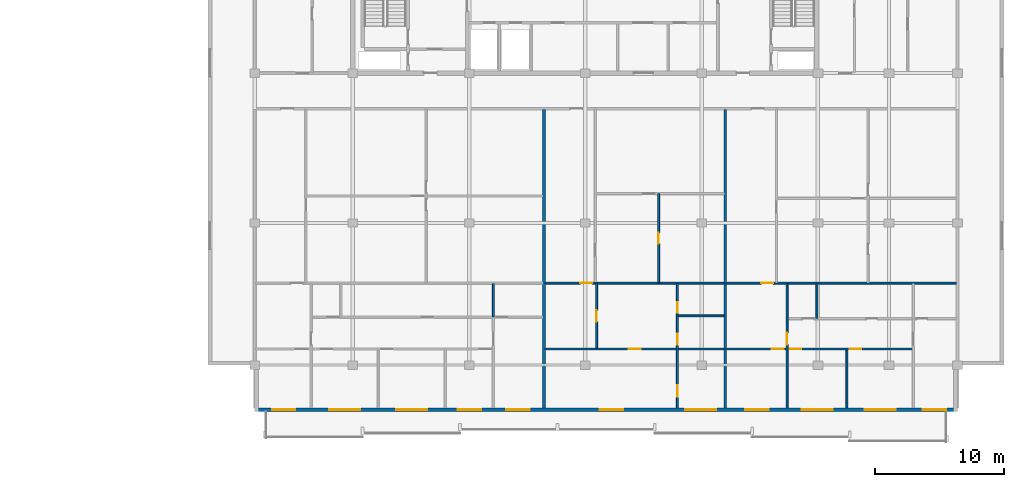
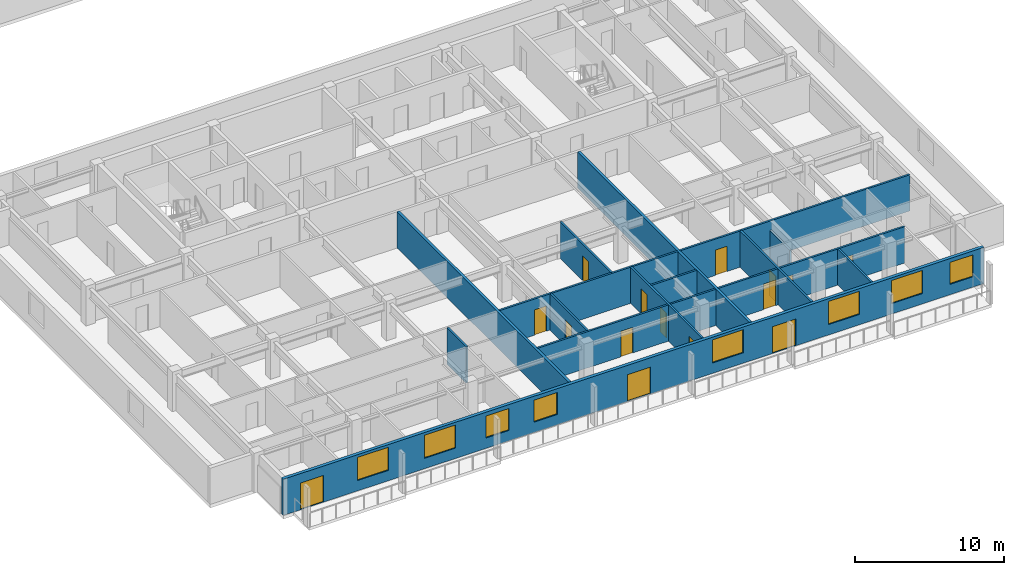
# One storey, part 5 of 22: 15 doors, 15 walls, 8 windows, 23 openings.
"""IFC4 building model written with IfcOpenShell, lengths in metres."""

from ifc_helpers import new_model, si_unit, direction, frame, frame_2d, origin, place, context, subcontext, project, spatial, rectangle, extrude, material, layer, layer_set, type_object, element, fill, save


model = new_model("IFC4")

# Units and contexts
model_context = context("Model", 3, precision=1e-05, world=origin(), true_north=direction((0.0, 1.0)))
body_context = subcontext(model_context, "Body", "Model", "MODEL_VIEW")
ifc_project = project(units=[si_unit("LENGTHUNIT", "METRE"), si_unit("AREAUNIT", "SQUARE_METRE"), si_unit("VOLUMEUNIT", "CUBIC_METRE"), si_unit("PLANEANGLEUNIT", "RADIAN"), si_unit("MASSUNIT", "GRAM", prefix="KILO")], contexts=[model_context])

# Site, building, storey
site_placement = place(None, origin())
site = spatial("IfcSite", under=ifc_project, at=site_placement, CompositionType="ELEMENT")
building_placement = place(site_placement, origin())
building = spatial("IfcBuilding", under=site, at=building_placement, Name="Korimba Cascade Residences", CompositionType="ELEMENT")
storey_placement = place(building_placement, frame((0.0, 0.0, 194.60009765625)))
storey = spatial("IfcBuildingStorey", under=building, at=storey_placement, Name="L56", CompositionType="ELEMENT", Elevation=194.60009765625)

# Wall, openings, doors, windows
ifc_material_1 = material(Name="Precast concrete C40/50", Category="concrete")
ifc_layer_1 = layer(ifc_material_1, 0.25)
ifc_layer_set_1 = layer_set([ifc_layer_1], Name="Precast concrete C40/50")
wall_type_1 = type_object("IfcWallType", Name="EW-LOG-250", PredefinedType="STANDARD", material=ifc_layer_set_1)
wall_1_placement = place(storey_placement, frame((74.5, -7.64990234375, 0.0), z_axis=(0.0, 0.0, 1.0), x_axis=(1.0, 0.0, 0.0)))
wall_1 = element("IfcWall", 1, at=wall_1_placement, inside=storey, type_object=wall_type_1, Name="L56 T2 Perimeter Stone Wall E00", PredefinedType="STANDARD", context=body_context, shape_type="SweptSolid", body=[
    extrude(rectangle(XDim=54.39990234375, YDim=0.25, at=frame_2d((27.199951171875, 0.0))), origin(), (0.0, 0.0, 1.0), 2.969970703125),
])
opening_1_placement = place(wall_1_placement, frame((5.77001953125, 0.0, 0.85009765625)))
opening_1 = element("IfcOpeningElement", 2, at=opening_1_placement, cuts=wall_1, Name="Opening W-01", PredefinedType="OPENING", context=body_context, shape_type="SweptSolid", body=[
    extrude(rectangle(XDim=2.39990234375, YDim=1.89990234375, at=frame_2d((1.199951171875, 0.949951171875))), frame((0.0, 0.135009765625, 0.0), z_axis=(0.0, -1.0, 0.0), x_axis=(1.0, 0.0, 0.0)), (0.0, 0.0, 1.0), 0.27001953125),
])
opening_2_placement = place(wall_1_placement, frame((10.969970703125, 0.0, 0.85009765625)))
opening_2 = element("IfcOpeningElement", 3, at=opening_2_placement, cuts=wall_1, Name="Opening W-01", PredefinedType="OPENING", context=body_context, shape_type="SweptSolid", body=[
    extrude(rectangle(XDim=2.39990234375, YDim=1.89990234375, at=frame_2d((1.199951171875, 0.949951171875))), frame((0.0, 0.135009765625, 0.0), z_axis=(0.0, -1.0, 0.0), x_axis=(1.0, 0.0, 0.0)), (0.0, 0.0, 1.0), 0.27001953125),
])
opening_3_placement = place(wall_1_placement, frame((15.72509765625, 0.0, 0.85009765625)))
opening_3 = element("IfcOpeningElement", 4, at=opening_3_placement, cuts=wall_1, Name="Opening W-02", PredefinedType="OPENING", context=body_context, shape_type="SweptSolid", body=[
    extrude(rectangle(XDim=1.800048828125, YDim=1.800048828125, at=frame_2d((0.89990234375, 0.89990234375))), frame((0.0, 0.135009765625, 0.0), z_axis=(0.0, -1.0, 0.0), x_axis=(1.0, 0.0, 0.0)), (0.0, 0.0, 1.0), 0.27001953125),
])
opening_4_placement = place(wall_1_placement, frame((1.344970703125, 0.0, 0.0)))
opening_4 = element("IfcOpeningElement", 5, at=opening_4_placement, cuts=wall_1, Name="Opening D-LG1", PredefinedType="OPENING", context=body_context, shape_type="SweptSolid", body=[
    extrude(rectangle(XDim=1.800048828125, YDim=2.199951171875, at=frame_2d((0.89990234375, 1.10009765625))), frame((0.0, 0.135009765625, 0.0), z_axis=(0.0, -1.0, 0.0), x_axis=(1.0, 0.0, 0.0)), (0.0, 0.0, 1.0), 0.27001953125),
])
opening_5_placement = place(wall_1_placement, frame((19.4794921875, 0.0, 0.85009765625)))
opening_5 = element("IfcOpeningElement", 6, at=opening_5_placement, cuts=wall_1, Name="Opening W-02", PredefinedType="OPENING", context=body_context, shape_type="SweptSolid", body=[
    extrude(rectangle(XDim=1.800048828125, YDim=1.800048828125, at=frame_2d((0.89990234375, 0.89990234375))), frame((0.0, 0.135009765625, 0.0), z_axis=(0.0, -1.0, 0.0), x_axis=(1.0, 0.0, 0.0)), (0.0, 0.0, 1.0), 0.27001953125),
])
opening_6_placement = place(wall_1_placement, frame((26.719482421875, 0.0, 0.0)))
opening_6 = element("IfcOpeningElement", 7, at=opening_6_placement, cuts=wall_1, Name="Opening D-LG1", PredefinedType="OPENING", context=body_context, shape_type="SweptSolid", body=[
    extrude(rectangle(XDim=1.800048828125, YDim=2.199951171875, at=frame_2d((0.89990234375, 1.10009765625))), frame((0.0, 0.135009765625, 0.0), z_axis=(0.0, -1.0, 0.0), x_axis=(1.0, 0.0, 0.0)), (0.0, 0.0, 1.0), 0.27001953125),
])
opening_7_placement = place(wall_1_placement, frame((33.310791015625, 0.0, 0.85009765625)))
opening_7 = element("IfcOpeningElement", 8, at=opening_7_placement, cuts=wall_1, Name="Opening W-01", PredefinedType="OPENING", context=body_context, shape_type="SweptSolid", body=[
    extrude(rectangle(XDim=2.39990234375, YDim=1.89990234375, at=frame_2d((1.199951171875, 0.949951171875))), frame((0.0, 0.135009765625, 0.0), z_axis=(0.0, -1.0, 0.0), x_axis=(1.0, 0.0, 0.0)), (0.0, 0.0, 1.0), 0.27001953125),
])
opening_8_placement = place(wall_1_placement, frame((42.32861328125, 0.0, 0.85009765625)))
opening_8 = element("IfcOpeningElement", 9, at=opening_8_placement, cuts=wall_1, Name="Opening W-01", PredefinedType="OPENING", context=body_context, shape_type="SweptSolid", body=[
    extrude(rectangle(XDim=2.39990234375, YDim=1.89990234375, at=frame_2d((1.199951171875, 0.949951171875))), frame((0.0, 0.135009765625, 0.0), z_axis=(0.0, -1.0, 0.0), x_axis=(1.0, 0.0, 0.0)), (0.0, 0.0, 1.0), 0.27001953125),
])
opening_9_placement = place(wall_1_placement, frame((47.212890625, 0.0, 0.85009765625)))
opening_9 = element("IfcOpeningElement", 10, at=opening_9_placement, cuts=wall_1, Name="Opening W-01", PredefinedType="OPENING", context=body_context, shape_type="SweptSolid", body=[
    extrude(rectangle(XDim=2.39990234375, YDim=1.89990234375, at=frame_2d((1.199951171875, 0.949951171875))), frame((0.0, 0.135009765625, 0.0), z_axis=(0.0, -1.0, 0.0), x_axis=(1.0, 0.0, 0.0)), (0.0, 0.0, 1.0), 0.27001953125),
])
opening_10_placement = place(wall_1_placement, frame((37.976318359375, 0.0, 0.0)))
opening_10 = element("IfcOpeningElement", 11, at=opening_10_placement, cuts=wall_1, Name="Opening D-LG1", PredefinedType="OPENING", context=body_context, shape_type="SweptSolid", body=[
    extrude(rectangle(XDim=1.800048828125, YDim=2.199951171875, at=frame_2d((0.89990234375, 1.10009765625))), frame((0.0, 0.135009765625, 0.0), z_axis=(0.0, -1.0, 0.0), x_axis=(1.0, 0.0, 0.0)), (0.0, 0.0, 1.0), 0.27001953125),
])
opening_11_placement = place(wall_1_placement, frame((51.72998046875, 0.0, 0.85009765625)))
opening_11 = element("IfcOpeningElement", 12, at=opening_11_placement, cuts=wall_1, Name="Opening W-02", PredefinedType="OPENING", context=body_context, shape_type="SweptSolid", body=[
    extrude(rectangle(XDim=1.800048828125, YDim=1.800048828125, at=frame_2d((0.89990234375, 0.89990234375))), frame((0.0, 0.135009765625, 0.0), z_axis=(0.0, -1.0, 0.0), x_axis=(1.0, 0.0, 0.0)), (0.0, 0.0, 1.0), 0.27001953125),
])
ifc_material_2 = material(Name="Glazed Aluminium Loggia Sliding Door", Category="aluminium")
door_type_1 = type_object("IfcDoorType", Name="DR-EXT-LOG", OperationType="NOTDEFINED", PredefinedType="DOOR", material=ifc_material_2)
door_1_placement = place(opening_4_placement, origin())
door_1 = element("IfcDoor", 13, at=door_1_placement, inside=storey, type_object=door_type_1, Name="L56 T2 Loggia Sliding Door 6", OperationType="SLIDING_TO_RIGHT", OverallHeight=2.199951171875, OverallWidth=1.800048828125, PredefinedType="DOOR", context=body_context, shape_type="SweptSolid", body=[
    extrude(rectangle(XDim=1.800048828125, YDim=2.199951171875, at=frame_2d((0.89990234375, 1.10009765625))), frame((0.0, 0.02490234375, 0.0), z_axis=(0.0, -1.0, 0.0), x_axis=(1.0, 0.0, 0.0)), (0.0, 0.0, 1.0), 0.050048828125),
])
fill(opening_4, door_1)
door_2_placement = place(opening_6_placement, origin())
door_2 = element("IfcDoor", 14, at=door_2_placement, inside=storey, type_object=door_type_1, Name="L56 T2 Loggia Sliding Door 8", OperationType="SLIDING_TO_RIGHT", OverallHeight=2.199951171875, OverallWidth=1.800048828125, PredefinedType="DOOR", context=body_context, shape_type="SweptSolid", body=[
    extrude(rectangle(XDim=1.800048828125, YDim=2.199951171875, at=frame_2d((0.89990234375, 1.10009765625))), frame((0.0, 0.02490234375, 0.0), z_axis=(0.0, -1.0, 0.0), x_axis=(1.0, 0.0, 0.0)), (0.0, 0.0, 1.0), 0.050048828125),
])
fill(opening_6, door_2)
door_3_placement = place(opening_10_placement, origin())
door_3 = element("IfcDoor", 15, at=door_3_placement, inside=storey, type_object=door_type_1, Name="L56 T2 Loggia Sliding Door 12", OperationType="SLIDING_TO_RIGHT", OverallHeight=2.199951171875, OverallWidth=1.800048828125, PredefinedType="DOOR", context=body_context, shape_type="SweptSolid", body=[
    extrude(rectangle(XDim=1.800048828125, YDim=2.199951171875, at=frame_2d((0.89990234375, 1.10009765625))), frame((0.0, 0.02490234375, 0.0), z_axis=(0.0, -1.0, 0.0), x_axis=(1.0, 0.0, 0.0)), (0.0, 0.0, 1.0), 0.050048828125),
])
fill(opening_10, door_3)
ifc_material_3 = material(Name="Double-Glazed Aluminium Window", Category="aluminium")
window_type_1 = type_object("IfcWindowType", Name="WIN-BED-1800", PartitioningType="SINGLE_PANEL", PredefinedType="WINDOW", material=ifc_material_3)
window_1_placement = place(opening_3_placement, origin())
window_1 = element("IfcWindow", 16, at=window_1_placement, inside=storey, type_object=window_type_1, Name="L56 T2 South Facade Window 5", OverallHeight=1.800048828125, OverallWidth=1.800048828125, PartitioningType="SINGLE_PANEL", PredefinedType="WINDOW", context=body_context, shape_type="SweptSolid", body=[
    extrude(rectangle(XDim=1.800048828125, YDim=1.800048828125, at=frame_2d((0.89990234375, 0.89990234375))), frame((0.0, 0.030029296875, 0.0), z_axis=(0.0, -1.0, 0.0), x_axis=(1.0, 0.0, 0.0)), (0.0, 0.0, 1.0), 0.06005859375),
])
fill(opening_3, window_1)
window_2_placement = place(opening_5_placement, origin())
window_2 = element("IfcWindow", 17, at=window_2_placement, inside=storey, type_object=window_type_1, Name="L56 T2 South Facade Window 7", OverallHeight=1.800048828125, OverallWidth=1.800048828125, PartitioningType="SINGLE_PANEL", PredefinedType="WINDOW", context=body_context, shape_type="SweptSolid", body=[
    extrude(rectangle(XDim=1.800048828125, YDim=1.800048828125, at=frame_2d((0.89990234375, 0.89990234375))), frame((0.0, 0.030029296875, 0.0), z_axis=(0.0, -1.0, 0.0), x_axis=(1.0, 0.0, 0.0)), (0.0, 0.0, 1.0), 0.06005859375),
])
fill(opening_5, window_2)
window_3_placement = place(opening_11_placement, origin())
window_3 = element("IfcWindow", 18, at=window_3_placement, inside=storey, type_object=window_type_1, Name="L56 T2 South Facade Window 13", OverallHeight=1.800048828125, OverallWidth=1.800048828125, PartitioningType="SINGLE_PANEL", PredefinedType="WINDOW", context=body_context, shape_type="SweptSolid", body=[
    extrude(rectangle(XDim=1.800048828125, YDim=1.800048828125, at=frame_2d((0.89990234375, 0.89990234375))), frame((0.0, 0.030029296875, 0.0), z_axis=(0.0, -1.0, 0.0), x_axis=(1.0, 0.0, 0.0)), (0.0, 0.0, 1.0), 0.06005859375),
])
fill(opening_11, window_3)
window_type_2 = type_object("IfcWindowType", Name="WIN-RES-2400", PartitioningType="DOUBLE_PANEL_VERTICAL", PredefinedType="WINDOW", material=ifc_material_3)
window_4_placement = place(opening_1_placement, origin())
window_4 = element("IfcWindow", 19, at=window_4_placement, inside=storey, type_object=window_type_2, Name="L56 T2 South Facade Window 3", OverallHeight=1.89990234375, OverallWidth=2.39990234375, PartitioningType="DOUBLE_PANEL_VERTICAL", PredefinedType="WINDOW", context=body_context, shape_type="SweptSolid", body=[
    extrude(rectangle(XDim=2.39990234375, YDim=1.89990234375, at=frame_2d((1.199951171875, 0.949951171875))), frame((0.0, 0.030029296875, 0.0), z_axis=(0.0, -1.0, 0.0), x_axis=(1.0, 0.0, 0.0)), (0.0, 0.0, 1.0), 0.06005859375),
])
fill(opening_1, window_4)
window_5_placement = place(opening_2_placement, origin())
window_5 = element("IfcWindow", 20, at=window_5_placement, inside=storey, type_object=window_type_2, Name="L56 T2 South Facade Window 4", OverallHeight=1.89990234375, OverallWidth=2.39990234375, PartitioningType="DOUBLE_PANEL_VERTICAL", PredefinedType="WINDOW", context=body_context, shape_type="SweptSolid", body=[
    extrude(rectangle(XDim=2.39990234375, YDim=1.89990234375, at=frame_2d((1.199951171875, 0.949951171875))), frame((0.0, 0.030029296875, 0.0), z_axis=(0.0, -1.0, 0.0), x_axis=(1.0, 0.0, 0.0)), (0.0, 0.0, 1.0), 0.06005859375),
])
fill(opening_2, window_5)
window_6_placement = place(opening_7_placement, origin())
window_6 = element("IfcWindow", 21, at=window_6_placement, inside=storey, type_object=window_type_2, Name="L56 T2 South Facade Window 9", OverallHeight=1.89990234375, OverallWidth=2.39990234375, PartitioningType="DOUBLE_PANEL_VERTICAL", PredefinedType="WINDOW", context=body_context, shape_type="SweptSolid", body=[
    extrude(rectangle(XDim=2.39990234375, YDim=1.89990234375, at=frame_2d((1.199951171875, 0.949951171875))), frame((0.0, 0.030029296875, 0.0), z_axis=(0.0, -1.0, 0.0), x_axis=(1.0, 0.0, 0.0)), (0.0, 0.0, 1.0), 0.06005859375),
])
fill(opening_7, window_6)
window_7_placement = place(opening_8_placement, origin())
window_7 = element("IfcWindow", 22, at=window_7_placement, inside=storey, type_object=window_type_2, Name="L56 T2 South Facade Window 10", OverallHeight=1.89990234375, OverallWidth=2.39990234375, PartitioningType="DOUBLE_PANEL_VERTICAL", PredefinedType="WINDOW", context=body_context, shape_type="SweptSolid", body=[
    extrude(rectangle(XDim=2.39990234375, YDim=1.89990234375, at=frame_2d((1.199951171875, 0.949951171875))), frame((0.0, 0.030029296875, 0.0), z_axis=(0.0, -1.0, 0.0), x_axis=(1.0, 0.0, 0.0)), (0.0, 0.0, 1.0), 0.06005859375),
])
fill(opening_8, window_7)
window_8_placement = place(opening_9_placement, origin())
window_8 = element("IfcWindow", 23, at=window_8_placement, inside=storey, type_object=window_type_2, Name="L56 T2 South Facade Window 11", OverallHeight=1.89990234375, OverallWidth=2.39990234375, PartitioningType="DOUBLE_PANEL_VERTICAL", PredefinedType="WINDOW", context=body_context, shape_type="SweptSolid", body=[
    extrude(rectangle(XDim=2.39990234375, YDim=1.89990234375, at=frame_2d((1.199951171875, 0.949951171875))), frame((0.0, 0.030029296875, 0.0), z_axis=(0.0, -1.0, 0.0), x_axis=(1.0, 0.0, 0.0)), (0.0, 0.0, 1.0), 0.06005859375),
])
fill(opening_9, window_8)

# Walls
ifc_layer_2 = layer(ifc_material_1, 0.199951171875)
ifc_layer_set_2 = layer_set([ifc_layer_2], Name="Precast concrete C40/50")
wall_type_2 = type_object("IfcWallType", Name="WAL-IT-200", PredefinedType="PARTITIONING", material=ifc_layer_set_2)
for number, where, z_axis, x_axis, name in (
    (24, (96.899169921875, -7.5, 0.0), (0.0, 0.0, 1.0), (0.0, 1.0, 0.0), "L56 Partition Wall WAL-L56-T2-DEM-1"),
    (25, (110.92138671875, -7.5, 0.0), (0.0, 0.0, 1.0), (0.0, 1.0, 0.0), "L56 Partition Wall WAL-L56-T2-DEM-2"),
):
    element("IfcWall", number, at=place(storey_placement, frame(where, z_axis=z_axis, x_axis=x_axis)), inside=storey, type_object=wall_type_2, Name=name, PredefinedType="PARTITIONING", context=body_context, shape_type="SweptSolid", body=[
        extrude(rectangle(XDim=23.070068359375, YDim=0.199951171875, at=frame_2d((11.53515625, 0.0))), origin(), (0.0, 0.0, 1.0), 2.969970703125),
    ])
ifc_material_4 = material(Name="Insulated Acoustic Stud Partition", Category="gypsum")
ifc_layer_3 = layer(ifc_material_4, 0.14990234375)
ifc_layer_set_3 = layer_set([ifc_layer_3], Name="Insulated Acoustic Stud Partition")
wall_type_3 = type_object("IfcWallType", Name="WAL-PART-150", PredefinedType="PARTITIONING", material=ifc_layer_set_3)
wall_2_placement = place(storey_placement, frame((92.97998046875, -0.469970703125, 0.0), z_axis=(0.0, 0.0, 1.0), x_axis=(0.0, 1.0, 0.0)))
element("IfcWall", 26, at=wall_2_placement, inside=storey, type_object=wall_type_3, Name="L56 Partition Wall WAL-L56-T2-U01-VBATH", PredefinedType="PARTITIONING", context=body_context, shape_type="SweptSolid", body=[
    extrude(rectangle(XDim=2.580078125, YDim=0.14990234375, at=frame_2d((1.2900390625, 0.0))), origin(), (0.0, 0.0, 1.0), 2.969970703125),
])

# Wall, opening, door
wall_3_placement = place(storey_placement, frame((105.76513671875, 2.18994140625, 0.0), z_axis=(0.0, 0.0, 1.0), x_axis=(0.0, 1.0, 0.0)))
wall_3 = element("IfcWall", 27, at=wall_3_placement, inside=storey, type_object=wall_type_3, Name="L56 Partition Wall WAL-L56-T2-U02-FMV", PredefinedType="PARTITIONING", context=body_context, shape_type="SweptSolid", body=[
    extrude(rectangle(XDim=6.880126953125, YDim=0.14990234375, at=frame_2d((3.43994140625, 0.0))), origin(), (0.0, 0.0, 1.0), 2.969970703125),
])
opening_12_placement = place(wall_3_placement, frame((3.02001953125, 0.0, 0.0)))
opening_12 = element("IfcOpeningElement", 28, at=opening_12_placement, cuts=wall_3, Name="Opening D-BT1", PredefinedType="OPENING", context=body_context, shape_type="SweptSolid", body=[
    extrude(rectangle(XDim=0.840087890625, YDim=2.0400390625, at=frame_2d((0.419921875, 1.02001953125))), frame((0.0, 0.0849609375, 0.0), z_axis=(0.0, -1.0, 0.0), x_axis=(1.0, 0.0, 0.0)), (0.0, 0.0, 1.0), 0.169921875),
])
ifc_material_5 = material(Name="Moisture-Resistant Bathroom Timber Door", Category="wood")
door_type_2 = type_object("IfcDoorType", Name="DR-INT-850", OperationType="NOTDEFINED", PredefinedType="DOOR", material=ifc_material_5)
door_4_placement = place(opening_12_placement, origin())
door_4 = element("IfcDoor", 29, at=door_4_placement, inside=storey, type_object=door_type_2, Name="L56-T2-U02 Wardrobe Door", OperationType="SINGLE_SWING_LEFT", OverallHeight=2.0400390625, OverallWidth=0.840087890625, PredefinedType="DOOR", context=body_context, shape_type="SweptSolid", body=[
    extrude(rectangle(XDim=0.840087890625, YDim=2.0400390625, at=frame_2d((0.419921875, 1.02001953125))), frame((0.0, 0.02490234375, 0.0), z_axis=(0.0, -1.0, 0.0), x_axis=(1.0, 0.0, 0.0)), (0.0, 0.0, 1.0), 0.050048828125),
])
fill(opening_12, door_4)

wall_4_placement = place(storey_placement, frame((100.968994140625, -2.889892578125, 0.0), z_axis=(0.0, 0.0, 1.0), x_axis=(0.0, 1.0, 0.0)))
wall_4 = element("IfcWall", 30, at=wall_4_placement, inside=storey, type_object=wall_type_3, Name="L56 Partition Wall WAL-L56-T2-U02-VDIN", PredefinedType="PARTITIONING", context=body_context, shape_type="SweptSolid", body=[
    extrude(rectangle(XDim=5.0, YDim=0.14990234375, at=frame_2d((2.5, 0.0))), origin(), (0.0, 0.0, 1.0), 2.969970703125),
])
opening_13_placement = place(wall_4_placement, frame((2.06005859375, 0.0, 0.0)))
opening_13 = element("IfcOpeningElement", 31, at=opening_13_placement, cuts=wall_4, Name="Opening D-IN2", PredefinedType="OPENING", context=body_context, shape_type="SweptSolid", body=[
    extrude(rectangle(XDim=0.8798828125, YDim=2.06005859375, at=frame_2d((0.43994140625, 1.030029296875))), frame((0.0, 0.0849609375, 0.0), z_axis=(0.0, -1.0, 0.0), x_axis=(1.0, 0.0, 0.0)), (0.0, 0.0, 1.0), 0.169921875),
])
ifc_material_6 = material(Name="Acoustic Timber Bedroom Door", Category="wood")
door_type_3 = type_object("IfcDoorType", Name="DR-INT-880", OperationType="NOTDEFINED", PredefinedType="DOOR", material=ifc_material_6)
door_5_placement = place(opening_13_placement, origin())
door_5 = element("IfcDoor", 32, at=door_5_placement, inside=storey, type_object=door_type_3, Name="L56-T2-U02 Dining Room Door", OperationType="SINGLE_SWING_RIGHT", OverallHeight=2.06005859375, OverallWidth=0.8798828125, PredefinedType="DOOR", context=body_context, shape_type="SweptSolid", body=[
    extrude(rectangle(XDim=0.8798828125, YDim=2.06005859375, at=frame_2d((0.43994140625, 1.030029296875))), frame((0.0, 0.02490234375, 0.0), z_axis=(0.0, -1.0, 0.0), x_axis=(1.0, 0.0, 0.0)), (0.0, 0.0, 1.0), 0.050048828125),
])
fill(opening_13, door_5)

# Wall
wall_5_placement = place(storey_placement, frame((107.280029296875, -0.389892578125, 0.0), z_axis=(0.0, 0.0, 1.0), x_axis=(1.0, 0.0, 0.0)))
element("IfcWall", 33, at=wall_5_placement, inside=storey, type_object=wall_type_3, Name="L56 Partition Wall WAL-L56-T2-U02-BLDIV", PredefinedType="PARTITIONING", context=body_context, shape_type="SweptSolid", body=[
    extrude(rectangle(XDim=3.561279296875, YDim=0.14990234375, at=frame_2d((1.78076171875, 0.0))), origin(), (0.0, 0.0, 1.0), 2.969970703125),
])

# Wall, openings, doors
wall_6_placement = place(storey_placement, frame((107.219970703125, -7.5, 0.0), z_axis=(0.0, 0.0, 1.0), x_axis=(0.0, 1.0, 0.0)))
wall_6 = element("IfcWall", 34, at=wall_6_placement, inside=storey, type_object=wall_type_3, Name="L56 Partition Wall WAL-L56-T2-U02-V1", PredefinedType="PARTITIONING", context=body_context, shape_type="SweptSolid", body=[
    extrude(rectangle(XDim=9.610107421875, YDim=0.14990234375, at=frame_2d((4.80517578125, 0.0))), origin(), (0.0, 0.0, 1.0), 2.969970703125),
])
opening_14_placement = place(wall_6_placement, frame((4.874755859375, 0.0, 0.0)))
opening_14 = element("IfcOpeningElement", 35, at=opening_14_placement, cuts=wall_6, Name="Opening D-BT1", PredefinedType="OPENING", context=body_context, shape_type="SweptSolid", body=[
    extrude(rectangle(XDim=0.840087890625, YDim=2.0400390625, at=frame_2d((0.419921875, 1.02001953125))), frame((0.0, 0.0849609375, 0.0), z_axis=(0.0, -1.0, 0.0), x_axis=(1.0, 0.0, 0.0)), (0.0, 0.0, 1.0), 0.169921875),
])
opening_15_placement = place(wall_6_placement, frame((7.339599609375, 0.0, 0.0)))
opening_15 = element("IfcOpeningElement", 36, at=opening_15_placement, cuts=wall_6, Name="Opening D-BT1", PredefinedType="OPENING", context=body_context, shape_type="SweptSolid", body=[
    extrude(rectangle(XDim=0.840087890625, YDim=2.0400390625, at=frame_2d((0.419921875, 1.02001953125))), frame((0.0, 0.0849609375, 0.0), z_axis=(0.0, -1.0, 0.0), x_axis=(1.0, 0.0, 0.0)), (0.0, 0.0, 1.0), 0.169921875),
])
opening_16_placement = place(wall_6_placement, frame((0.859130859375, 0.0, 0.0)))
opening_16 = element("IfcOpeningElement", 37, at=opening_16_placement, cuts=wall_6, Name="Opening D-IN2", PredefinedType="OPENING", context=body_context, shape_type="SweptSolid", body=[
    extrude(rectangle(XDim=0.8798828125, YDim=2.06005859375, at=frame_2d((0.43994140625, 1.030029296875))), frame((0.0, 0.0849609375, 0.0), z_axis=(0.0, -1.0, 0.0), x_axis=(1.0, 0.0, 0.0)), (0.0, 0.0, 1.0), 0.169921875),
])
door_6_placement = place(opening_14_placement, origin())
door_6 = element("IfcDoor", 38, at=door_6_placement, inside=storey, type_object=door_type_2, Name="L56-T2-U02 Bathroom Door", OperationType="SINGLE_SWING_LEFT", OverallHeight=2.0400390625, OverallWidth=0.840087890625, PredefinedType="DOOR", context=body_context, shape_type="SweptSolid", body=[
    extrude(rectangle(XDim=0.840087890625, YDim=2.0400390625, at=frame_2d((0.419921875, 1.02001953125))), frame((0.0, 0.02490234375, 0.0), z_axis=(0.0, -1.0, 0.0), x_axis=(1.0, 0.0, 0.0)), (0.0, 0.0, 1.0), 0.050048828125),
])
fill(opening_14, door_6)
door_7_placement = place(opening_15_placement, origin())
door_7 = element("IfcDoor", 39, at=door_7_placement, inside=storey, type_object=door_type_2, Name="L56-T2-U02 Laundry Door", OperationType="SINGLE_SWING_RIGHT", OverallHeight=2.0400390625, OverallWidth=0.840087890625, PredefinedType="DOOR", context=body_context, shape_type="SweptSolid", body=[
    extrude(rectangle(XDim=0.840087890625, YDim=2.0400390625, at=frame_2d((0.419921875, 1.02001953125))), frame((0.0, 0.02490234375, 0.0), z_axis=(0.0, -1.0, 0.0), x_axis=(1.0, 0.0, 0.0)), (0.0, 0.0, 1.0), 0.050048828125),
])
fill(opening_15, door_7)
door_8_placement = place(opening_16_placement, origin())
door_8 = element("IfcDoor", 40, at=door_8_placement, inside=storey, type_object=door_type_3, Name="L56-T2-U02 Bedroom 1 Door", OperationType="SINGLE_SWING_LEFT", OverallHeight=2.06005859375, OverallWidth=0.8798828125, PredefinedType="DOOR", context=body_context, shape_type="SweptSolid", body=[
    extrude(rectangle(XDim=0.8798828125, YDim=2.06005859375, at=frame_2d((0.43994140625, 1.030029296875))), frame((0.0, 0.02490234375, 0.0), z_axis=(0.0, -1.0, 0.0), x_axis=(1.0, 0.0, 0.0)), (0.0, 0.0, 1.0), 0.050048828125),
])
fill(opening_16, door_8)

# Wall, opening, door
wall_7_placement = place(storey_placement, frame((96.97900390625, 2.14990234375, 0.0), z_axis=(0.0, 0.0, 1.0), x_axis=(1.0, 0.0, 0.0)))
wall_7 = element("IfcWall", 41, at=wall_7_placement, inside=storey, type_object=wall_type_3, Name="L56 Partition Wall WAL-L56-T2-U02-MW", PredefinedType="PARTITIONING", context=body_context, shape_type="SweptSolid", body=[
    extrude(rectangle(XDim=13.8623046875, YDim=0.14990234375, at=frame_2d((6.93115234375, 0.0))), origin(), (0.0, 0.0, 1.0), 2.969970703125),
])
opening_17_placement = place(wall_7_placement, frame((2.719970703125, 0.0, 0.0)))
opening_17 = element("IfcOpeningElement", 42, at=opening_17_placement, cuts=wall_7, Name="Opening D-IN1", PredefinedType="OPENING", context=body_context, shape_type="SweptSolid", body=[
    extrude(rectangle(XDim=0.919921875, YDim=2.080078125, at=frame_2d((0.4599609375, 1.0400390625))), frame((0.0, 0.0849609375, 0.0), z_axis=(0.0, -1.0, 0.0), x_axis=(1.0, 0.0, 0.0)), (0.0, 0.0, 1.0), 0.169921875),
])
ifc_material_7 = material(Name="Acoustic Timber Living Door", Category="wood")
door_type_4 = type_object("IfcDoorType", Name="DR-INT-920", OperationType="NOTDEFINED", PredefinedType="DOOR", material=ifc_material_7)
door_9_placement = place(opening_17_placement, origin())
door_9 = element("IfcDoor", 43, at=door_9_placement, inside=storey, type_object=door_type_4, Name="L56-T2-U02 Kitchen Archway Door", OperationType="SINGLE_SWING_RIGHT", OverallHeight=2.080078125, OverallWidth=0.919921875, PredefinedType="DOOR", context=body_context, shape_type="SweptSolid", body=[
    extrude(rectangle(XDim=0.919921875, YDim=2.080078125, at=frame_2d((0.4599609375, 1.0400390625))), frame((0.0, 0.02490234375, 0.0), z_axis=(0.0, -1.0, 0.0), x_axis=(1.0, 0.0, 0.0)), (0.0, 0.0, 1.0), 0.050048828125),
])
fill(opening_17, door_9)

wall_8_placement = place(storey_placement, frame((96.97900390625, -2.949951171875, 0.0), z_axis=(0.0, 0.0, 1.0), x_axis=(1.0, 0.0, 0.0)))
wall_8 = element("IfcWall", 44, at=wall_8_placement, inside=storey, type_object=wall_type_3, Name="L56 Partition Wall WAL-L56-T2-U02-HZ", PredefinedType="PARTITIONING", context=body_context, shape_type="SweptSolid", body=[
    extrude(rectangle(XDim=13.8623046875, YDim=0.14990234375, at=frame_2d((6.93115234375, 0.0))), origin(), (0.0, 0.0, 1.0), 2.969970703125),
])
opening_18_placement = place(wall_8_placement, frame((6.461181640625, 0.0, 0.0)))
opening_18 = element("IfcOpeningElement", 45, at=opening_18_placement, cuts=wall_8, Name="Opening D-IN0", PredefinedType="OPENING", context=body_context, shape_type="SweptSolid", body=[
    extrude(rectangle(XDim=0.93994140625, YDim=2.10009765625, at=frame_2d((0.469970703125, 1.050048828125))), frame((0.0, 0.0849609375, 0.0), z_axis=(0.0, -1.0, 0.0), x_axis=(1.0, 0.0, 0.0)), (0.0, 0.0, 1.0), 0.169921875),
])
ifc_material_8 = material(Name="Acoustic Timber Living Archway Door", Category="wood")
door_type_5 = type_object("IfcDoorType", Name="DR-INT-950", OperationType="NOTDEFINED", PredefinedType="DOOR", material=ifc_material_8)
door_10_placement = place(opening_18_placement, origin())
door_10 = element("IfcDoor", 46, at=door_10_placement, inside=storey, type_object=door_type_5, Name="L56-T2-U02 Living Archway Door", OperationType="SINGLE_SWING_LEFT", OverallHeight=2.10009765625, OverallWidth=0.93994140625, PredefinedType="DOOR", context=body_context, shape_type="SweptSolid", body=[
    extrude(rectangle(XDim=0.93994140625, YDim=2.10009765625, at=frame_2d((0.469970703125, 1.050048828125))), frame((0.0, 0.02490234375, 0.0), z_axis=(0.0, -1.0, 0.0), x_axis=(1.0, 0.0, 0.0)), (0.0, 0.0, 1.0), 0.050048828125),
])
fill(opening_18, door_10)

# Walls
wall_9_placement = place(storey_placement, frame((118.021484375, -0.580078125, 0.0), z_axis=(0.0, 0.0, 1.0), x_axis=(0.0, 1.0, 0.0)))
element("IfcWall", 47, at=wall_9_placement, inside=storey, type_object=wall_type_3, Name="L56 Partition Wall WAL-L56-T2-U03-VDRS", PredefinedType="PARTITIONING", context=body_context, shape_type="SweptSolid", body=[
    extrude(rectangle(XDim=2.690185546875, YDim=0.14990234375, at=frame_2d((1.34521484375, 0.0))), origin(), (0.0, 0.0, 1.0), 2.2001953125),
])
wall_10_placement = place(storey_placement, frame((120.345703125, -7.5, 0.0), z_axis=(0.0, 0.0, 1.0), x_axis=(0.0, 1.0, 0.0)))
element("IfcWall", 48, at=wall_10_placement, inside=storey, type_object=wall_type_3, Name="L56 Partition Wall WAL-L56-T2-U03-VSTD", PredefinedType="PARTITIONING", context=body_context, shape_type="SweptSolid", body=[
    extrude(rectangle(XDim=4.469970703125, YDim=0.14990234375, at=frame_2d((2.23486328125, 0.0))), origin(), (0.0, 0.0, 1.0), 2.969970703125),
])

# Wall, opening, door
wall_11_placement = place(storey_placement, frame((115.71142578125, -7.5, 0.0), z_axis=(0.0, 0.0, 1.0), x_axis=(0.0, 1.0, 0.0)))
wall_11 = element("IfcWall", 49, at=wall_11_placement, inside=storey, type_object=wall_type_3, Name="L56 Partition Wall WAL-L56-T2-U03-V1", PredefinedType="PARTITIONING", context=body_context, shape_type="SweptSolid", body=[
    extrude(rectangle(XDim=9.610107421875, YDim=0.14990234375, at=frame_2d((4.80517578125, 0.0))), origin(), (0.0, 0.0, 1.0), 2.969970703125),
])
opening_19_placement = place(wall_11_placement, frame((4.8701171875, 0.0, 0.0)))
opening_19 = element("IfcOpeningElement", 50, at=opening_19_placement, cuts=wall_11, Name="Opening D-IN1", PredefinedType="OPENING", context=body_context, shape_type="SweptSolid", body=[
    extrude(rectangle(XDim=0.919921875, YDim=2.080078125, at=frame_2d((0.4599609375, 1.0400390625))), frame((0.0, 0.0849609375, 0.0), z_axis=(0.0, -1.0, 0.0), x_axis=(1.0, 0.0, 0.0)), (0.0, 0.0, 1.0), 0.169921875),
])
door_11_placement = place(opening_19_placement, origin())
door_11 = element("IfcDoor", 51, at=door_11_placement, inside=storey, type_object=door_type_4, Name="L56-T2-U03 Hallway Door", OperationType="SINGLE_SWING_RIGHT", OverallHeight=2.080078125, OverallWidth=0.919921875, PredefinedType="DOOR", context=body_context, shape_type="SweptSolid", body=[
    extrude(rectangle(XDim=0.919921875, YDim=2.080078125, at=frame_2d((0.4599609375, 1.0400390625))), frame((0.0, 0.02490234375, 0.0), z_axis=(0.0, -1.0, 0.0), x_axis=(1.0, 0.0, 0.0)), (0.0, 0.0, 1.0), 0.050048828125),
])
fill(opening_19, door_11)

wall_12_placement = place(storey_placement, frame((111.00146484375, 2.14990234375, 0.0), z_axis=(0.0, 0.0, 1.0), x_axis=(1.0, 0.0, 0.0)))
wall_12 = element("IfcWall", 52, at=wall_12_placement, inside=storey, type_object=wall_type_3, Name="L56 Partition Wall WAL-L56-T2-U03-MW", PredefinedType="PARTITIONING", context=body_context, shape_type="SweptSolid", body=[
    extrude(rectangle(XDim=17.818603515625, YDim=0.14990234375, at=frame_2d((8.9091796875, 0.0))), origin(), (0.0, 0.0, 1.0), 2.969970703125),
])
opening_20_placement = place(wall_12_placement, frame((2.719970703125, 0.0, 0.0)))
opening_20 = element("IfcOpeningElement", 53, at=opening_20_placement, cuts=wall_12, Name="Opening D-IN1", PredefinedType="OPENING", context=body_context, shape_type="SweptSolid", body=[
    extrude(rectangle(XDim=0.919921875, YDim=2.080078125, at=frame_2d((0.4599609375, 1.0400390625))), frame((0.0, 0.0849609375, 0.0), z_axis=(0.0, -1.0, 0.0), x_axis=(1.0, 0.0, 0.0)), (0.0, 0.0, 1.0), 0.169921875),
])
door_12_placement = place(opening_20_placement, origin())
door_12 = element("IfcDoor", 54, at=door_12_placement, inside=storey, type_object=door_type_4, Name="L56-T2-U03 Kitchen Door", OperationType="SINGLE_SWING_LEFT", OverallHeight=2.080078125, OverallWidth=0.919921875, PredefinedType="DOOR", context=body_context, shape_type="SweptSolid", body=[
    extrude(rectangle(XDim=0.919921875, YDim=2.080078125, at=frame_2d((0.4599609375, 1.0400390625))), frame((0.0, 0.02490234375, 0.0), z_axis=(0.0, -1.0, 0.0), x_axis=(1.0, 0.0, 0.0)), (0.0, 0.0, 1.0), 0.050048828125),
])
fill(opening_20, door_12)

# Wall, openings, doors
wall_13_placement = place(storey_placement, frame((111.00146484375, -2.949951171875, 0.0), z_axis=(0.0, 0.0, 1.0), x_axis=(1.0, 0.0, 0.0)))
wall_13 = element("IfcWall", 55, at=wall_13_placement, inside=storey, type_object=wall_type_3, Name="L56 Partition Wall WAL-L56-T2-U03-HZ", PredefinedType="PARTITIONING", context=body_context, shape_type="SweptSolid", body=[
    extrude(rectangle(XDim=14.478515625, YDim=0.14990234375, at=frame_2d((7.2392578125, 0.0))), origin(), (0.0, 0.0, 1.0), 2.969970703125),
])
opening_21_placement = place(wall_13_placement, frame((3.52001953125, 0.0, 0.0)))
opening_21 = element("IfcOpeningElement", 56, at=opening_21_placement, cuts=wall_13, Name="Opening D-IN0", PredefinedType="OPENING", context=body_context, shape_type="SweptSolid", body=[
    extrude(rectangle(XDim=0.93994140625, YDim=2.10009765625, at=frame_2d((0.469970703125, 1.050048828125))), frame((0.0, 0.0849609375, 0.0), z_axis=(0.0, -1.0, 0.0), x_axis=(1.0, 0.0, 0.0)), (0.0, 0.0, 1.0), 0.169921875),
])
opening_22_placement = place(wall_13_placement, frame((4.929931640625, 0.0, 0.0)))
opening_22 = element("IfcOpeningElement", 57, at=opening_22_placement, cuts=wall_13, Name="Opening D-IN2", PredefinedType="OPENING", context=body_context, shape_type="SweptSolid", body=[
    extrude(rectangle(XDim=0.8798828125, YDim=2.06005859375, at=frame_2d((0.43994140625, 1.030029296875))), frame((0.0, 0.0849609375, 0.0), z_axis=(0.0, -1.0, 0.0), x_axis=(1.0, 0.0, 0.0)), (0.0, 0.0, 1.0), 0.169921875),
])
opening_23_placement = place(wall_13_placement, frame((9.564208984375, 0.0, 0.0)))
opening_23 = element("IfcOpeningElement", 58, at=opening_23_placement, cuts=wall_13, Name="Opening D-IN2", PredefinedType="OPENING", context=body_context, shape_type="SweptSolid", body=[
    extrude(rectangle(XDim=0.8798828125, YDim=2.06005859375, at=frame_2d((0.43994140625, 1.030029296875))), frame((0.0, 0.0849609375, 0.0), z_axis=(0.0, -1.0, 0.0), x_axis=(1.0, 0.0, 0.0)), (0.0, 0.0, 1.0), 0.169921875),
])
door_13_placement = place(opening_22_placement, origin())
door_13 = element("IfcDoor", 59, at=door_13_placement, inside=storey, type_object=door_type_3, Name="L56-T2-U03 Bedroom 2 Door", OperationType="SINGLE_SWING_LEFT", OverallHeight=2.06005859375, OverallWidth=0.8798828125, PredefinedType="DOOR", context=body_context, shape_type="SweptSolid", body=[
    extrude(rectangle(XDim=0.8798828125, YDim=2.06005859375, at=frame_2d((0.43994140625, 1.030029296875))), frame((0.0, 0.02490234375, 0.0), z_axis=(0.0, -1.0, 0.0), x_axis=(1.0, 0.0, 0.0)), (0.0, 0.0, 1.0), 0.050048828125),
])
fill(opening_22, door_13)
door_14_placement = place(opening_23_placement, origin())
door_14 = element("IfcDoor", 60, at=door_14_placement, inside=storey, type_object=door_type_3, Name="L56-T2-U03 Study Door", OperationType="SINGLE_SWING_RIGHT", OverallHeight=2.06005859375, OverallWidth=0.8798828125, PredefinedType="DOOR", context=body_context, shape_type="SweptSolid", body=[
    extrude(rectangle(XDim=0.8798828125, YDim=2.06005859375, at=frame_2d((0.43994140625, 1.030029296875))), frame((0.0, 0.02490234375, 0.0), z_axis=(0.0, -1.0, 0.0), x_axis=(1.0, 0.0, 0.0)), (0.0, 0.0, 1.0), 0.050048828125),
])
fill(opening_23, door_14)
door_15_placement = place(opening_21_placement, origin())
door_15 = element("IfcDoor", 61, at=door_15_placement, inside=storey, type_object=door_type_5, Name="L56-T2-U03 Living Room Door", OperationType="SINGLE_SWING_RIGHT", OverallHeight=2.10009765625, OverallWidth=0.93994140625, PredefinedType="DOOR", context=body_context, shape_type="SweptSolid", body=[
    extrude(rectangle(XDim=0.93994140625, YDim=2.10009765625, at=frame_2d((0.469970703125, 1.050048828125))), frame((0.0, 0.02490234375, 0.0), z_axis=(0.0, -1.0, 0.0), x_axis=(1.0, 0.0, 0.0)), (0.0, 0.0, 1.0), 0.050048828125),
])
fill(opening_21, door_15)

save(model, "model.ifc")
